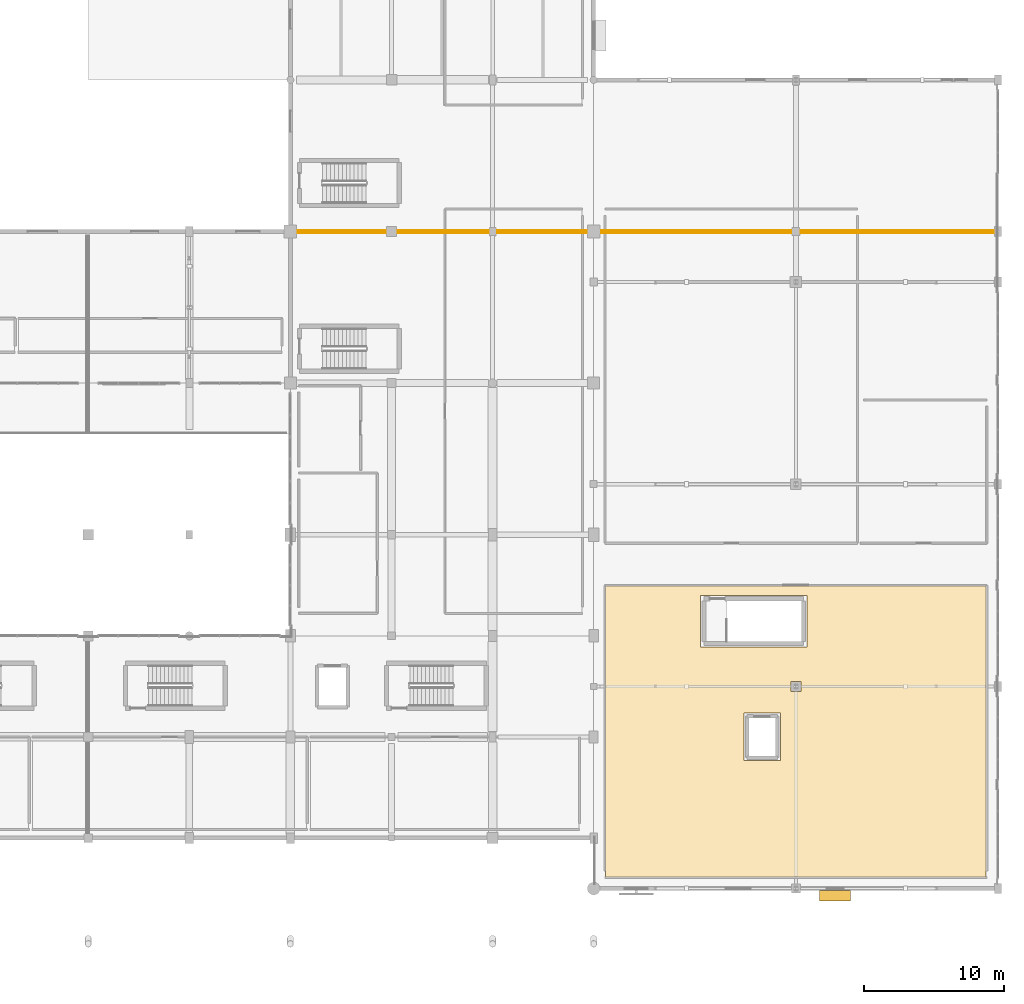
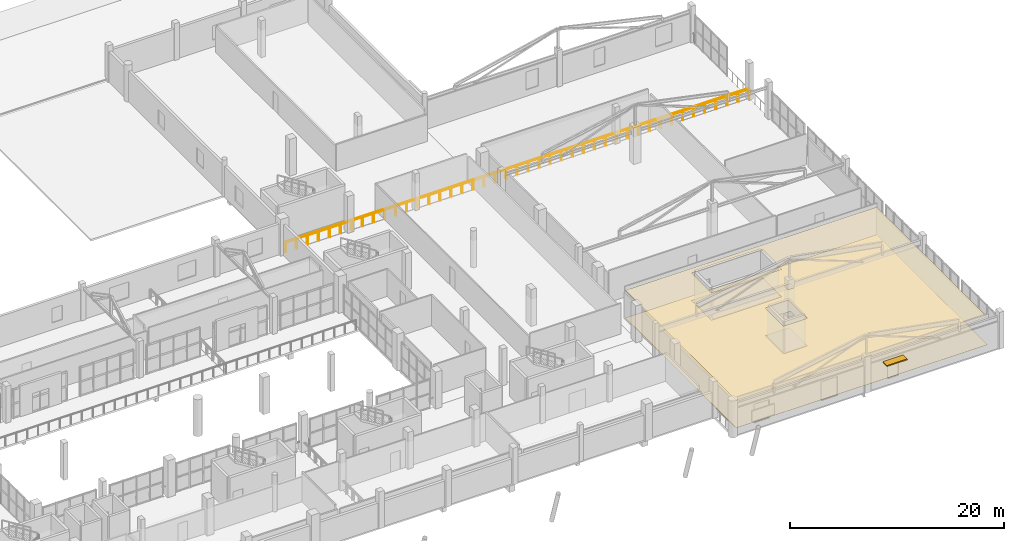
# One storey, part 89 of 92: 2 coverings, 2 railings, 1 shading device.
"""IFC4 building model written with IfcOpenShell, lengths in metres."""

from ifc_helpers import new_model, si_unit, direction, frame, origin, origin_2d, place, context, subcontext, project, spatial, polyline, rectangle, circle, outline, extrude, material, layer, layer_set, type_object, element, save


model = new_model("IFC4")

# Units and contexts
model_context = context("Model", 3, precision=1e-05, world=origin(), true_north=direction((0.0, 1.0)))
body_context = subcontext(model_context, "Body", "Model", "MODEL_VIEW")
ifc_project = project(units=[si_unit("LENGTHUNIT", "METRE"), si_unit("AREAUNIT", "SQUARE_METRE"), si_unit("VOLUMEUNIT", "CUBIC_METRE"), si_unit("PLANEANGLEUNIT", "RADIAN"), si_unit("MASSUNIT", "GRAM", prefix="KILO")], contexts=[model_context])

# Site, building, storey
site_placement = place(None, origin())
site = spatial("IfcSite", under=ifc_project, at=site_placement, CompositionType="ELEMENT")
building_placement = place(site_placement, origin())
building = spatial("IfcBuilding", under=site, at=building_placement, Name="Solanera Park Tramway Depot", CompositionType="ELEMENT")
storey_placement = place(building_placement, frame((0.0, 0.0, 4.800048828125)))
storey = spatial("IfcBuildingStorey", under=building, at=storey_placement, Name="L01", CompositionType="ELEMENT", Elevation=4.800048828125)

# Covering
ifc_material_1 = material(Name="Acoustic perforated plasterboard and mineral-fibre ceiling")
ifc_layer_1 = layer(ifc_material_1, 0.02001953125)
ifc_layer_set_1 = layer_set([ifc_layer_1], Name="Acoustic perforated plasterboard and mineral-fibre ceiling")
covering_type_1 = type_object("IfcCoveringType", Name="Acoustic Mineral-Fibre Ceiling 20", PredefinedType="CEILING", material=ifc_layer_set_1)
covering_1_placement = place(storey_placement, frame((0.0, 0.0, 3.14990234375)))
element("IfcCovering", 1, at=covering_1_placement, inside=storey, type_object=covering_type_1, Name="Community Transit Forum Auditorium Acoustic Ceiling", PredefinedType="CEILING", context=body_context, shape_type="SweptSolid", body=[
    extrude(outline(polyline([(215.159912109375, 28.760009765625), (215.159912109375, 8.0400390625), (188.0400390625, 8.0400390625), (188.0400390625, 28.760009765625), (215.159912109375, 28.760009765625)]), holes=[polyline([(194.81005859375, 24.409912109375), (202.389892578125, 24.409912109375), (202.389892578125, 28.090087890625), (194.81005859375, 28.090087890625), (194.81005859375, 24.409912109375)]), polyline([(197.909912109375, 19.68994140625), (197.909912109375, 16.31005859375), (200.489990234375, 16.31005859375), (200.489990234375, 19.68994140625), (197.909912109375, 19.68994140625)]), polyline([(201.952880859375, 21.2470703125), (201.952880859375, 21.952880859375), (201.2470703125, 21.952880859375), (201.2470703125, 21.2470703125), (201.952880859375, 21.2470703125)])]), origin(), (0.0, 0.0, 1.0), 0.02001953125),
])

# Railings
ifc_material_2 = material(Name="Powder-coated galvanised steel balustrade", Category="steel")
ifc_layer_2 = layer(ifc_material_2, 0.06005859375)
ifc_layer_set_2 = layer_set([ifc_layer_2], Name="Powder-coated galvanised steel balustrade")
railing_type = type_object("IfcRailingType", Name="Classical Wrought-Style Balustrade 1120", PredefinedType="BALUSTRADE", material=ifc_layer_set_2)
railing_1_placement = place(storey_placement, frame((165.919921875, 53.889892578125, 0.0)))
element("IfcRailing", 2, at=railing_1_placement, inside=storey, type_object=railing_type, Name="L01 Perimeter Deck Balustrade #015", PredefinedType="BALUSTRADE", context=body_context, shape_type="SweptSolid", body=[
    extrude(circle(Radius=0.02392578125, at=origin_2d()), frame((0.0, 0.0, 1.09619140625), z_axis=(1.0, 0.0, 0.0), x_axis=(0.0, 1.0, 0.0)), (0.0, 0.0, 1.0), 50.02001953125),
    extrude(circle(Radius=0.02099609375, at=origin_2d()), origin(), (0.0, 0.0, 1.0), 1.072021484375),
    extrude(circle(Radius=0.02099609375, at=origin_2d()), frame((1.19091796875, 0.0, 0.0)), (0.0, 0.0, 1.0), 1.072021484375),
    extrude(circle(Radius=0.02099609375, at=origin_2d()), frame((2.3818359375, 0.0, 0.0)), (0.0, 0.0, 1.0), 1.072021484375),
    extrude(circle(Radius=0.02099609375, at=origin_2d()), frame((3.57275390625, 0.0, 0.0)), (0.0, 0.0, 1.0), 1.072021484375),
    extrude(circle(Radius=0.02099609375, at=origin_2d()), frame((4.763916015625, 0.0, 0.0)), (0.0, 0.0, 1.0), 1.072021484375),
    extrude(circle(Radius=0.02099609375, at=origin_2d()), frame((5.954833984375, 0.0, 0.0)), (0.0, 0.0, 1.0), 1.072021484375),
    extrude(circle(Radius=0.02099609375, at=origin_2d()), frame((7.145751953125, 0.0, 0.0)), (0.0, 0.0, 1.0), 1.072021484375),
    extrude(circle(Radius=0.02099609375, at=origin_2d()), frame((8.336669921875, 0.0, 0.0)), (0.0, 0.0, 1.0), 1.072021484375),
    extrude(circle(Radius=0.02099609375, at=origin_2d()), frame((9.527587890625, 0.0, 0.0)), (0.0, 0.0, 1.0), 1.072021484375),
    extrude(circle(Radius=0.02099609375, at=origin_2d()), frame((10.718505859375, 0.0, 0.0)), (0.0, 0.0, 1.0), 1.072021484375),
    extrude(circle(Radius=0.02099609375, at=origin_2d()), frame((11.909423828125, 0.0, 0.0)), (0.0, 0.0, 1.0), 1.072021484375),
    extrude(circle(Radius=0.02099609375, at=origin_2d()), frame((13.1005859375, 0.0, 0.0)), (0.0, 0.0, 1.0), 1.072021484375),
    extrude(circle(Radius=0.02099609375, at=origin_2d()), frame((14.29150390625, 0.0, 0.0)), (0.0, 0.0, 1.0), 1.072021484375),
    extrude(circle(Radius=0.02099609375, at=origin_2d()), frame((15.482421875, 0.0, 0.0)), (0.0, 0.0, 1.0), 1.072021484375),
    extrude(circle(Radius=0.02099609375, at=origin_2d()), frame((16.67333984375, 0.0, 0.0)), (0.0, 0.0, 1.0), 1.072021484375),
    extrude(circle(Radius=0.02099609375, at=origin_2d()), frame((17.8642578125, 0.0, 0.0)), (0.0, 0.0, 1.0), 1.072021484375),
    extrude(circle(Radius=0.02099609375, at=origin_2d()), frame((19.05517578125, 0.0, 0.0)), (0.0, 0.0, 1.0), 1.072021484375),
    extrude(circle(Radius=0.02099609375, at=origin_2d()), frame((20.24609375, 0.0, 0.0)), (0.0, 0.0, 1.0), 1.072021484375),
    extrude(circle(Radius=0.02099609375, at=origin_2d()), frame((21.437255859375, 0.0, 0.0)), (0.0, 0.0, 1.0), 1.072021484375),
    extrude(circle(Radius=0.02099609375, at=origin_2d()), frame((22.628173828125, 0.0, 0.0)), (0.0, 0.0, 1.0), 1.072021484375),
    extrude(circle(Radius=0.02099609375, at=origin_2d()), frame((23.819091796875, 0.0, 0.0)), (0.0, 0.0, 1.0), 1.072021484375),
    extrude(circle(Radius=0.02099609375, at=origin_2d()), frame((25.010009765625, 0.0, 0.0)), (0.0, 0.0, 1.0), 1.072021484375),
    extrude(circle(Radius=0.02099609375, at=origin_2d()), frame((26.200927734375, 0.0, 0.0)), (0.0, 0.0, 1.0), 1.072021484375),
    extrude(circle(Radius=0.02099609375, at=origin_2d()), frame((27.391845703125, 0.0, 0.0)), (0.0, 0.0, 1.0), 1.072021484375),
    extrude(circle(Radius=0.02099609375, at=origin_2d()), frame((28.582763671875, 0.0, 0.0)), (0.0, 0.0, 1.0), 1.072021484375),
    extrude(circle(Radius=0.02099609375, at=origin_2d()), frame((29.77392578125, 0.0, 0.0)), (0.0, 0.0, 1.0), 1.072021484375),
    extrude(circle(Radius=0.02099609375, at=origin_2d()), frame((30.96484375, 0.0, 0.0)), (0.0, 0.0, 1.0), 1.072021484375),
    extrude(circle(Radius=0.02099609375, at=origin_2d()), frame((32.15576171875, 0.0, 0.0)), (0.0, 0.0, 1.0), 1.072021484375),
    extrude(circle(Radius=0.02099609375, at=origin_2d()), frame((33.3466796875, 0.0, 0.0)), (0.0, 0.0, 1.0), 1.072021484375),
    extrude(circle(Radius=0.02099609375, at=origin_2d()), frame((34.53759765625, 0.0, 0.0)), (0.0, 0.0, 1.0), 1.072021484375),
    extrude(circle(Radius=0.02099609375, at=origin_2d()), frame((35.728515625, 0.0, 0.0)), (0.0, 0.0, 1.0), 1.072021484375),
    extrude(circle(Radius=0.02099609375, at=origin_2d()), frame((36.91943359375, 0.0, 0.0)), (0.0, 0.0, 1.0), 1.072021484375),
    extrude(circle(Radius=0.02099609375, at=origin_2d()), frame((38.110595703125, 0.0, 0.0)), (0.0, 0.0, 1.0), 1.072021484375),
    extrude(circle(Radius=0.02099609375, at=origin_2d()), frame((39.301513671875, 0.0, 0.0)), (0.0, 0.0, 1.0), 1.072021484375),
    extrude(circle(Radius=0.02099609375, at=origin_2d()), frame((40.492431640625, 0.0, 0.0)), (0.0, 0.0, 1.0), 1.072021484375),
    extrude(circle(Radius=0.02099609375, at=origin_2d()), frame((41.683349609375, 0.0, 0.0)), (0.0, 0.0, 1.0), 1.072021484375),
    extrude(circle(Radius=0.02099609375, at=origin_2d()), frame((42.874267578125, 0.0, 0.0)), (0.0, 0.0, 1.0), 1.072021484375),
    extrude(circle(Radius=0.02099609375, at=origin_2d()), frame((44.065185546875, 0.0, 0.0)), (0.0, 0.0, 1.0), 1.072021484375),
    extrude(circle(Radius=0.02099609375, at=origin_2d()), frame((45.256103515625, 0.0, 0.0)), (0.0, 0.0, 1.0), 1.072021484375),
    extrude(circle(Radius=0.02099609375, at=origin_2d()), frame((46.447265625, 0.0, 0.0)), (0.0, 0.0, 1.0), 1.072021484375),
    extrude(circle(Radius=0.02099609375, at=origin_2d()), frame((47.63818359375, 0.0, 0.0)), (0.0, 0.0, 1.0), 1.072021484375),
    extrude(circle(Radius=0.02099609375, at=origin_2d()), frame((48.8291015625, 0.0, 0.0)), (0.0, 0.0, 1.0), 1.072021484375),
    extrude(circle(Radius=0.02099609375, at=origin_2d()), frame((50.02001953125, 0.0, 0.0)), (0.0, 0.0, 1.0), 1.072021484375),
])
railing_2_placement = place(storey_placement, frame((215.93994140625, 54.06005859375, 0.0)))
element("IfcRailing", 3, at=railing_2_placement, inside=storey, type_object=railing_type, Name="L01 Perimeter Deck Balustrade #033", PredefinedType="BALUSTRADE", context=body_context, shape_type="SweptSolid", body=[
    extrude(circle(Radius=0.02392578125, at=origin_2d()), frame((0.0, 0.0, 1.09619140625), z_axis=(-1.0, 0.0, 0.0), x_axis=(0.0, -1.0, 0.0)), (0.0, 0.0, 1.0), 50.02001953125),
    extrude(circle(Radius=0.02099609375, at=origin_2d()), origin(), (0.0, 0.0, 1.0), 1.072021484375),
    extrude(circle(Radius=0.02099609375, at=origin_2d()), frame((-1.19091796875, 0.0, 0.0)), (0.0, 0.0, 1.0), 1.072021484375),
    extrude(circle(Radius=0.02099609375, at=origin_2d()), frame((-2.3818359375, 0.0, 0.0)), (0.0, 0.0, 1.0), 1.072021484375),
    extrude(circle(Radius=0.02099609375, at=origin_2d()), frame((-3.57275390625, 0.0, 0.0)), (0.0, 0.0, 1.0), 1.072021484375),
    extrude(circle(Radius=0.02099609375, at=origin_2d()), frame((-4.763916015625, 0.0, 0.0)), (0.0, 0.0, 1.0), 1.072021484375),
    extrude(circle(Radius=0.02099609375, at=origin_2d()), frame((-5.954833984375, 0.0, 0.0)), (0.0, 0.0, 1.0), 1.072021484375),
    extrude(circle(Radius=0.02099609375, at=origin_2d()), frame((-7.145751953125, 0.0, 0.0)), (0.0, 0.0, 1.0), 1.072021484375),
    extrude(circle(Radius=0.02099609375, at=origin_2d()), frame((-8.336669921875, 0.0, 0.0)), (0.0, 0.0, 1.0), 1.072021484375),
    extrude(circle(Radius=0.02099609375, at=origin_2d()), frame((-9.527587890625, 0.0, 0.0)), (0.0, 0.0, 1.0), 1.072021484375),
    extrude(circle(Radius=0.02099609375, at=origin_2d()), frame((-10.718505859375, 0.0, 0.0)), (0.0, 0.0, 1.0), 1.072021484375),
    extrude(circle(Radius=0.02099609375, at=origin_2d()), frame((-11.909423828125, 0.0, 0.0)), (0.0, 0.0, 1.0), 1.072021484375),
    extrude(circle(Radius=0.02099609375, at=origin_2d()), frame((-13.1005859375, 0.0, 0.0)), (0.0, 0.0, 1.0), 1.072021484375),
    extrude(circle(Radius=0.02099609375, at=origin_2d()), frame((-14.29150390625, 0.0, 0.0)), (0.0, 0.0, 1.0), 1.072021484375),
    extrude(circle(Radius=0.02099609375, at=origin_2d()), frame((-15.482421875, 0.0, 0.0)), (0.0, 0.0, 1.0), 1.072021484375),
    extrude(circle(Radius=0.02099609375, at=origin_2d()), frame((-16.67333984375, 0.0, 0.0)), (0.0, 0.0, 1.0), 1.072021484375),
    extrude(circle(Radius=0.02099609375, at=origin_2d()), frame((-17.8642578125, 0.0, 0.0)), (0.0, 0.0, 1.0), 1.072021484375),
    extrude(circle(Radius=0.02099609375, at=origin_2d()), frame((-19.05517578125, 0.0, 0.0)), (0.0, 0.0, 1.0), 1.072021484375),
    extrude(circle(Radius=0.02099609375, at=origin_2d()), frame((-20.24609375, 0.0, 0.0)), (0.0, 0.0, 1.0), 1.072021484375),
    extrude(circle(Radius=0.02099609375, at=origin_2d()), frame((-21.437255859375, 0.0, 0.0)), (0.0, 0.0, 1.0), 1.072021484375),
    extrude(circle(Radius=0.02099609375, at=origin_2d()), frame((-22.628173828125, 0.0, 0.0)), (0.0, 0.0, 1.0), 1.072021484375),
    extrude(circle(Radius=0.02099609375, at=origin_2d()), frame((-23.819091796875, 0.0, 0.0)), (0.0, 0.0, 1.0), 1.072021484375),
    extrude(circle(Radius=0.02099609375, at=origin_2d()), frame((-25.010009765625, 0.0, 0.0)), (0.0, 0.0, 1.0), 1.072021484375),
    extrude(circle(Radius=0.02099609375, at=origin_2d()), frame((-26.200927734375, 0.0, 0.0)), (0.0, 0.0, 1.0), 1.072021484375),
    extrude(circle(Radius=0.02099609375, at=origin_2d()), frame((-27.391845703125, 0.0, 0.0)), (0.0, 0.0, 1.0), 1.072021484375),
    extrude(circle(Radius=0.02099609375, at=origin_2d()), frame((-28.582763671875, 0.0, 0.0)), (0.0, 0.0, 1.0), 1.072021484375),
    extrude(circle(Radius=0.02099609375, at=origin_2d()), frame((-29.77392578125, 0.0, 0.0)), (0.0, 0.0, 1.0), 1.072021484375),
    extrude(circle(Radius=0.02099609375, at=origin_2d()), frame((-30.96484375, 0.0, 0.0)), (0.0, 0.0, 1.0), 1.072021484375),
    extrude(circle(Radius=0.02099609375, at=origin_2d()), frame((-32.15576171875, 0.0, 0.0)), (0.0, 0.0, 1.0), 1.072021484375),
    extrude(circle(Radius=0.02099609375, at=origin_2d()), frame((-33.3466796875, 0.0, 0.0)), (0.0, 0.0, 1.0), 1.072021484375),
    extrude(circle(Radius=0.02099609375, at=origin_2d()), frame((-34.53759765625, 0.0, 0.0)), (0.0, 0.0, 1.0), 1.072021484375),
    extrude(circle(Radius=0.02099609375, at=origin_2d()), frame((-35.728515625, 0.0, 0.0)), (0.0, 0.0, 1.0), 1.072021484375),
    extrude(circle(Radius=0.02099609375, at=origin_2d()), frame((-36.91943359375, 0.0, 0.0)), (0.0, 0.0, 1.0), 1.072021484375),
    extrude(circle(Radius=0.02099609375, at=origin_2d()), frame((-38.110595703125, 0.0, 0.0)), (0.0, 0.0, 1.0), 1.072021484375),
    extrude(circle(Radius=0.02099609375, at=origin_2d()), frame((-39.301513671875, 0.0, 0.0)), (0.0, 0.0, 1.0), 1.072021484375),
    extrude(circle(Radius=0.02099609375, at=origin_2d()), frame((-40.492431640625, 0.0, 0.0)), (0.0, 0.0, 1.0), 1.072021484375),
    extrude(circle(Radius=0.02099609375, at=origin_2d()), frame((-41.683349609375, 0.0, 0.0)), (0.0, 0.0, 1.0), 1.072021484375),
    extrude(circle(Radius=0.02099609375, at=origin_2d()), frame((-42.874267578125, 0.0, 0.0)), (0.0, 0.0, 1.0), 1.072021484375),
    extrude(circle(Radius=0.02099609375, at=origin_2d()), frame((-44.065185546875, 0.0, 0.0)), (0.0, 0.0, 1.0), 1.072021484375),
    extrude(circle(Radius=0.02099609375, at=origin_2d()), frame((-45.256103515625, 0.0, 0.0)), (0.0, 0.0, 1.0), 1.072021484375),
    extrude(circle(Radius=0.02099609375, at=origin_2d()), frame((-46.447265625, 0.0, 0.0)), (0.0, 0.0, 1.0), 1.072021484375),
    extrude(circle(Radius=0.02099609375, at=origin_2d()), frame((-47.63818359375, 0.0, 0.0)), (0.0, 0.0, 1.0), 1.072021484375),
    extrude(circle(Radius=0.02099609375, at=origin_2d()), frame((-48.8291015625, 0.0, 0.0)), (0.0, 0.0, 1.0), 1.072021484375),
    extrude(circle(Radius=0.02099609375, at=origin_2d()), frame((-50.02001953125, 0.0, 0.0)), (0.0, 0.0, 1.0), 1.072021484375),
])

# Shading device
ifc_material_3 = material(Name="Extruded terracotta brise-soleil hood", Category="masonry")
shading_device_type = type_object("IfcShadingDeviceType", Name="Terracotta Brise-Soleil Sunshade Hood 2200x750", PredefinedType="USERDEFINED", material=ifc_material_3)
shading_device_placement = place(storey_placement, frame((204.39990234375, 6.68505859375, 2.719970703125), z_axis=(0.0, 0.0, 1.0), x_axis=(1.0, 0.0, 0.0)))
element("IfcShadingDevice", 4, at=shading_device_placement, inside=storey, type_object=shading_device_type, Name="Terracotta Brise-Soleil Sunshade #037", ObjectType="SUNSHADE", PredefinedType="USERDEFINED", context=body_context, shape_type="SweptSolid", body=[
    extrude(rectangle(XDim=2.199951171875, YDim=0.75, at=origin_2d()), origin(), (0.0, 0.0, 1.0), 0.1201171875),
])

# Covering
ifc_material_4 = material(Name="Vitrified terracotta quarry floor tile", Category="masonry")
ifc_layer_3 = layer(ifc_material_4, 0.01806640625)
ifc_layer_set_3 = layer_set([ifc_layer_3], Name="Vitrified terracotta quarry floor tile")
covering_type_2 = type_object("IfcCoveringType", Name="Terracotta Quarry Tile Flooring 18", PredefinedType="FLOORING", material=ifc_layer_set_3)
covering_2_placement = place(storey_placement, origin())
element("IfcCovering", 5, at=covering_2_placement, inside=storey, type_object=covering_type_2, Name="Community Transit Forum Auditorium Floor Finish", PredefinedType="FLOORING", context=body_context, shape_type="SweptSolid", body=[
    extrude(outline(polyline([(215.159912109375, 28.760009765625), (215.159912109375, 8.0400390625), (188.0400390625, 8.0400390625), (188.0400390625, 28.760009765625), (215.159912109375, 28.760009765625)]), holes=[polyline([(194.81005859375, 24.409912109375), (202.389892578125, 24.409912109375), (202.389892578125, 28.090087890625), (194.81005859375, 28.090087890625), (194.81005859375, 24.409912109375)]), polyline([(197.909912109375, 19.68994140625), (197.909912109375, 16.31005859375), (200.489990234375, 16.31005859375), (200.489990234375, 19.68994140625), (197.909912109375, 19.68994140625)]), polyline([(201.955078125, 21.2451171875), (201.955078125, 21.955078125), (201.2451171875, 21.955078125), (201.2451171875, 21.2451171875), (201.955078125, 21.2451171875)])]), origin(), (0.0, 0.0, 1.0), 0.01806640625),
])

save(model, "model.ifc")
